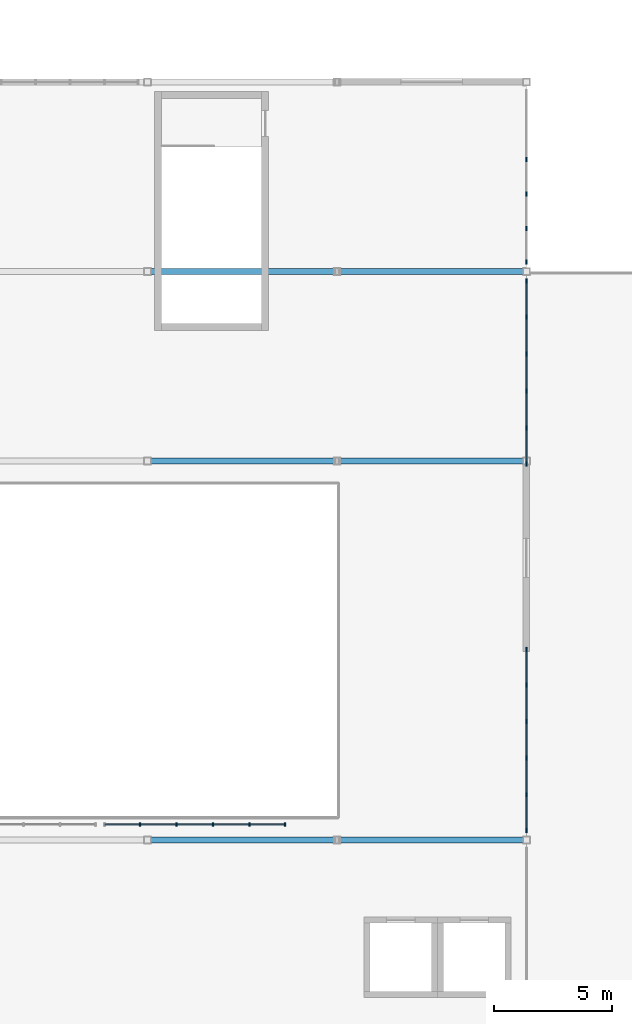
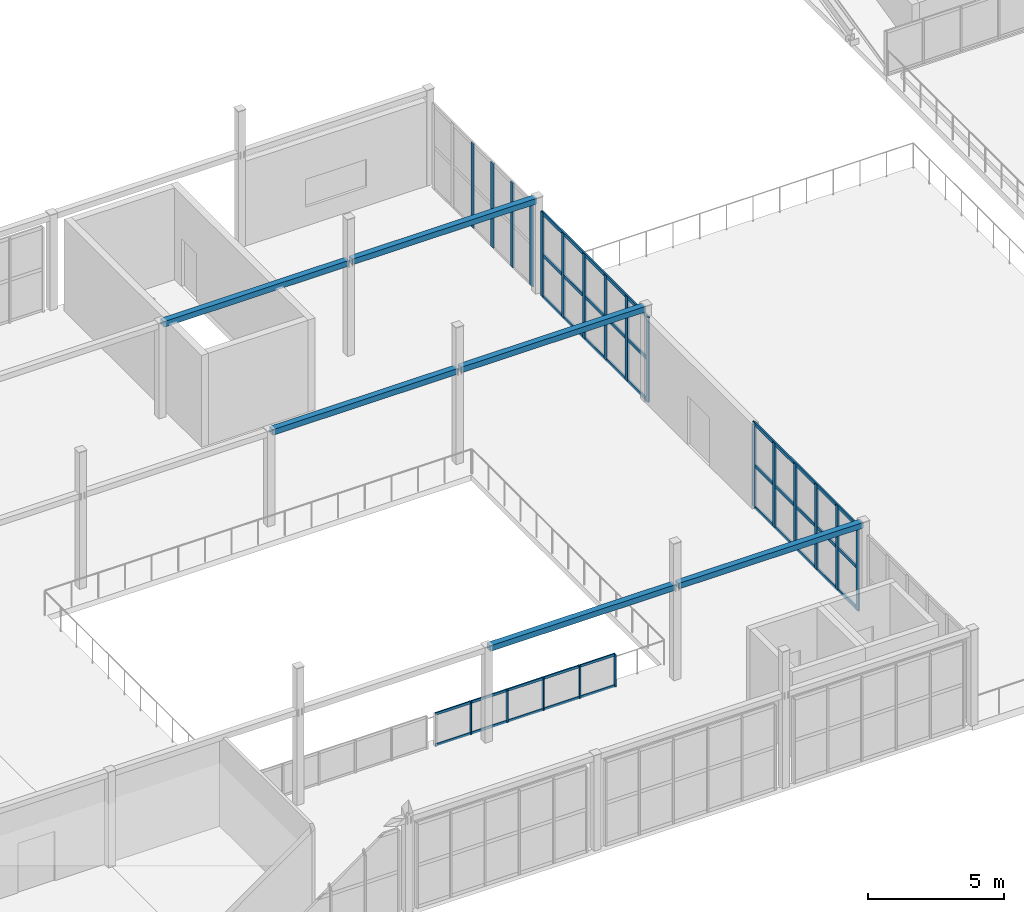
# One storey, part 31 of 83: 35 members, 4 elements without a shape of their own.
"""IFC4 building model written with IfcOpenShell, lengths in metres."""

from ifc_helpers import new_model, si_unit, direction, frame, origin, origin_2d, place, context, subcontext, project, spatial, rectangle, hollow_rectangle, extrude, material, material_profile, profile_set, type_object, element, aggregate, save


model = new_model("IFC4")

# Units and contexts
model_context = context("Model", 3, precision=1e-05, world=origin(), true_north=direction((0.0, 1.0)))
body_context = subcontext(model_context, "Body", "Model", "MODEL_VIEW")
ifc_project = project(units=[si_unit("LENGTHUNIT", "METRE"), si_unit("AREAUNIT", "SQUARE_METRE"), si_unit("VOLUMEUNIT", "CUBIC_METRE"), si_unit("PLANEANGLEUNIT", "RADIAN"), si_unit("MASSUNIT", "GRAM", prefix="KILO")], contexts=[model_context])

# Site, building, storey
site_placement = place(None, origin())
site = spatial("IfcSite", under=ifc_project, at=site_placement, CompositionType="ELEMENT")
building_placement = place(site_placement, origin())
building = spatial("IfcBuilding", under=site, at=building_placement, Name="Drelvath Fold Interchange", CompositionType="ELEMENT")
storey_placement = place(building_placement, frame((0.0, 0.0, 11.199951171875)))
storey = spatial("IfcBuildingStorey", under=building, at=storey_placement, Name="L02", CompositionType="ELEMENT", Elevation=11.199951171875)

# Members
ifc_material_1 = material(Name="Steel ASTM A500 Grade C", Category="steel")
ifc_material_profile_1 = material_profile(ifc_material_1, hollow_rectangle(XDim=0.25390625, YDim=0.25390625, WallThickness=0.01171875, at=origin_2d()), Name="HSS10X10X1/2")
ifc_profile_set_1 = profile_set([ifc_material_profile_1], Name="Steel ASTM A500 Grade C")
member_type_1 = type_object("IfcMemberType", Name="FP-CHD254", PredefinedType="CHORD", material=ifc_profile_set_1)
for number, where, z_axis, x_axis, name in (
    (1, (68.080078125, 67.0, 4.150146484375), (1.0, 0.0, 0.0), (0.0, 1.0, 0.0), "L02 Folded-plate roof truss tie chord FP-CHD254"),
    (2, (68.080078125, 83.0, 4.150146484375), (1.0, 0.0, 0.0), (0.0, 1.0, 0.0), "L02 Folded-plate roof truss tie chord FP-CHD254"),
    (3, (68.080078125, 91.0, 4.150146484375), (1.0, 0.0, 0.0), (0.0, 1.0, 0.0), "L02 Folded-plate roof truss tie chord FP-CHD254"),
    (4, (76.080078125, 67.0, 4.150146484375), (1.0, 0.0, 0.0), (0.0, 1.0, 0.0), "L02 Folded-plate roof truss tie chord FP-CHD254"),
    (5, (76.080078125, 83.0, 4.150146484375), (1.0, 0.0, 0.0), (0.0, 1.0, 0.0), "L02 Folded-plate roof truss tie chord FP-CHD254"),
    (6, (76.080078125, 91.0, 4.150146484375), (1.0, 0.0, 0.0), (0.0, 1.0, 0.0), "L02 Folded-plate roof truss tie chord FP-CHD254"),
):
    element("IfcMember", number, at=place(storey_placement, frame(where, z_axis=z_axis, x_axis=x_axis)), inside=storey, type_object=member_type_1, Name=name, PredefinedType="CHORD", context=body_context, shape_type="SweptSolid", body=[
        extrude(hollow_rectangle(XDim=0.25390625, YDim=0.25390625, WallThickness=0.01171875, at=origin_2d()), origin(), (0.0, 0.0, 1.0), 7.83984375),
    ])

# Curtain wall, members
ifc_material_2 = material(Name="Anodized Aluminium 6063-T6", Category="aluminium")
curtain_wall_type_1 = type_object("IfcCurtainWallType", Name="CW-ATR-SCR", PredefinedType="USERDEFINED", material=ifc_material_2)
curtain_wall_1_placement = place(storey_placement, origin())
curtain_wall_1 = element("IfcCurtainWall", 7, at=curtain_wall_1_placement, inside=storey, type_object=curtain_wall_type_1, Name="Curtain wall CW-ATR-L02-S66", ObjectType="GLAZED SCREEN WALL", PredefinedType="USERDEFINED")
ifc_material_profile_2 = material_profile(ifc_material_2, rectangle(XDim=0.054931640625, YDim=0.135009765625, at=origin_2d()), Name="AL-M 55x135")
ifc_profile_set_2 = profile_set([ifc_material_profile_2], Name="Anodized Aluminium 6063-T6")
member_type_2 = type_object("IfcMemberType", Name="ML-135", PredefinedType="MULLION", material=ifc_profile_set_2)
member_1_placement = place(storey_placement, frame((67.68994140625, 67.64990234375, 0.0), z_axis=(0.0, 0.0, 1.0), x_axis=(1.0, 0.0, 0.0)))
member_1 = element("IfcMember", 8, at=member_1_placement, type_object=member_type_2, Name="CW-ATR-L02-S66 mullion 1", PredefinedType="MULLION", context=body_context, shape_type="SweptSolid", body=[
    extrude(rectangle(XDim=0.054931640625, YDim=0.135009765625, at=origin_2d()), origin(), (0.0, 0.0, 1.0), 1.449951171875),
])
member_2_placement = place(storey_placement, frame((69.22998046875, 67.64990234375, 0.0), z_axis=(0.0, 0.0, 1.0), x_axis=(1.0, 0.0, 0.0)))
member_2 = element("IfcMember", 9, at=member_2_placement, type_object=member_type_2, Name="CW-ATR-L02-S66 mullion 2", PredefinedType="MULLION", context=body_context, shape_type="SweptSolid", body=[
    extrude(rectangle(XDim=0.054931640625, YDim=0.135009765625, at=origin_2d()), origin(), (0.0, 0.0, 1.0), 1.449951171875),
])
member_3_placement = place(storey_placement, frame((70.77001953125, 67.64990234375, 0.0), z_axis=(0.0, 0.0, 1.0), x_axis=(1.0, 0.0, 0.0)))
member_3 = element("IfcMember", 10, at=member_3_placement, type_object=member_type_2, Name="CW-ATR-L02-S66 mullion 3", PredefinedType="MULLION", context=body_context, shape_type="SweptSolid", body=[
    extrude(rectangle(XDim=0.054931640625, YDim=0.135009765625, at=origin_2d()), origin(), (0.0, 0.0, 1.0), 1.449951171875),
])
member_4_placement = place(storey_placement, frame((72.31005859375, 67.64990234375, 0.0), z_axis=(0.0, 0.0, 1.0), x_axis=(1.0, 0.0, 0.0)))
member_4 = element("IfcMember", 11, at=member_4_placement, type_object=member_type_2, Name="CW-ATR-L02-S66 mullion 4", PredefinedType="MULLION", context=body_context, shape_type="SweptSolid", body=[
    extrude(rectangle(XDim=0.054931640625, YDim=0.135009765625, at=origin_2d()), origin(), (0.0, 0.0, 1.0), 1.449951171875),
])
member_5_placement = place(storey_placement, frame((73.81005859375, 67.64990234375, 0.0), z_axis=(0.0, 0.0, 1.0), x_axis=(1.0, 0.0, 0.0)))
member_5 = element("IfcMember", 12, at=member_5_placement, type_object=member_type_2, Name="CW-ATR-L02-S66 mullion 5", PredefinedType="MULLION", context=body_context, shape_type="SweptSolid", body=[
    extrude(rectangle(XDim=0.054931640625, YDim=0.135009765625, at=origin_2d()), origin(), (0.0, 0.0, 1.0), 1.449951171875),
])

curtain_wall_type_2 = type_object("IfcCurtainWallType", Name="CW-CON-440", PredefinedType="USERDEFINED", material=ifc_material_2)
curtain_wall_2_placement = place(storey_placement, origin())
curtain_wall_2 = element("IfcCurtainWall", 13, at=curtain_wall_2_placement, inside=storey, type_object=curtain_wall_type_2, Name="Curtain wall CW-V1E-L02-Y67", ObjectType="UNITISED CURTAIN WALL", PredefinedType="USERDEFINED")
ifc_material_profile_3 = material_profile(ifc_material_2, rectangle(XDim=0.06494140625, YDim=0.18994140625, at=origin_2d()), Name="AL-M 65x190")
ifc_profile_set_3 = profile_set([ifc_material_profile_3], Name="Anodized Aluminium 6063-T6")
member_type_3 = type_object("IfcMemberType", Name="ML-190", PredefinedType="MULLION", material=ifc_profile_set_3)
member_6_placement = place(storey_placement, frame((84.0, 67.39990234375, 0.0), z_axis=(0.0, 0.0, 1.0), x_axis=(1.0, 0.0, 0.0)))
member_6 = element("IfcMember", 14, at=member_6_placement, type_object=member_type_3, Name="CW-V1E-L02-Y67 mullion 0", PredefinedType="MULLION", context=body_context, shape_type="SweptSolid", body=[
    extrude(rectangle(XDim=0.06494140625, YDim=0.18994140625, at=origin_2d()), origin(), (0.0, 0.0, 1.0), 3.800048828125),
])
member_7_placement = place(storey_placement, frame((84.0, 68.904052734375, 0.0), z_axis=(0.0, 0.0, 1.0), x_axis=(1.0, 0.0, 0.0)))
member_7 = element("IfcMember", 15, at=member_7_placement, type_object=member_type_3, Name="CW-V1E-L02-Y67 mullion 1", PredefinedType="MULLION", context=body_context, shape_type="SweptSolid", body=[
    extrude(rectangle(XDim=0.06494140625, YDim=0.18994140625, at=origin_2d()), origin(), (0.0, 0.0, 1.0), 3.800048828125),
])
member_8_placement = place(storey_placement, frame((84.0, 70.447998046875, 0.0), z_axis=(0.0, 0.0, 1.0), x_axis=(1.0, 0.0, 0.0)))
member_8 = element("IfcMember", 16, at=member_8_placement, type_object=member_type_3, Name="CW-V1E-L02-Y67 mullion 2", PredefinedType="MULLION", context=body_context, shape_type="SweptSolid", body=[
    extrude(rectangle(XDim=0.06494140625, YDim=0.18994140625, at=origin_2d()), origin(), (0.0, 0.0, 1.0), 3.800048828125),
])
member_9_placement = place(storey_placement, frame((84.0, 71.991943359375, 0.0), z_axis=(0.0, 0.0, 1.0), x_axis=(1.0, 0.0, 0.0)))
member_9 = element("IfcMember", 17, at=member_9_placement, type_object=member_type_3, Name="CW-V1E-L02-Y67 mullion 3", PredefinedType="MULLION", context=body_context, shape_type="SweptSolid", body=[
    extrude(rectangle(XDim=0.06494140625, YDim=0.18994140625, at=origin_2d()), origin(), (0.0, 0.0, 1.0), 3.800048828125),
])
member_10_placement = place(storey_placement, frame((84.0, 73.535888671875, 0.0), z_axis=(0.0, 0.0, 1.0), x_axis=(1.0, 0.0, 0.0)))
member_10 = element("IfcMember", 18, at=member_10_placement, type_object=member_type_3, Name="CW-V1E-L02-Y67 mullion 4", PredefinedType="MULLION", context=body_context, shape_type="SweptSolid", body=[
    extrude(rectangle(XDim=0.06494140625, YDim=0.18994140625, at=origin_2d()), origin(), (0.0, 0.0, 1.0), 3.800048828125),
])
member_11_placement = place(storey_placement, frame((84.0, 75.0400390625, 0.0), z_axis=(0.0, 0.0, 1.0), x_axis=(1.0, 0.0, 0.0)))
member_11 = element("IfcMember", 19, at=member_11_placement, type_object=member_type_3, Name="CW-V1E-L02-Y67 mullion 5", PredefinedType="MULLION", context=body_context, shape_type="SweptSolid", body=[
    extrude(rectangle(XDim=0.06494140625, YDim=0.18994140625, at=origin_2d()), origin(), (0.0, 0.0, 1.0), 3.800048828125),
])

curtain_wall_3_placement = place(storey_placement, origin())
curtain_wall_3 = element("IfcCurtainWall", 20, at=curtain_wall_3_placement, inside=storey, type_object=curtain_wall_type_2, Name="Curtain wall CW-V1E-L02-Y83", ObjectType="UNITISED CURTAIN WALL", PredefinedType="USERDEFINED")
member_12_placement = place(storey_placement, frame((84.0, 82.860107421875, 0.0), z_axis=(0.0, 0.0, 1.0), x_axis=(1.0, 0.0, 0.0)))
member_12 = element("IfcMember", 21, at=member_12_placement, type_object=member_type_3, Name="CW-V1E-L02-Y83 mullion 0", PredefinedType="MULLION", context=body_context, shape_type="SweptSolid", body=[
    extrude(rectangle(XDim=0.06494140625, YDim=0.18994140625, at=origin_2d()), origin(), (0.0, 0.0, 1.0), 3.800048828125),
])
member_13_placement = place(storey_placement, frame((84.0, 84.384033203125, 0.0), z_axis=(0.0, 0.0, 1.0), x_axis=(1.0, 0.0, 0.0)))
member_13 = element("IfcMember", 22, at=member_13_placement, type_object=member_type_3, Name="CW-V1E-L02-Y83 mullion 1", PredefinedType="MULLION", context=body_context, shape_type="SweptSolid", body=[
    extrude(rectangle(XDim=0.06494140625, YDim=0.18994140625, at=origin_2d()), origin(), (0.0, 0.0, 1.0), 3.800048828125),
])
member_14_placement = place(storey_placement, frame((84.0, 85.947998046875, 0.0), z_axis=(0.0, 0.0, 1.0), x_axis=(1.0, 0.0, 0.0)))
member_14 = element("IfcMember", 23, at=member_14_placement, type_object=member_type_3, Name="CW-V1E-L02-Y83 mullion 2", PredefinedType="MULLION", context=body_context, shape_type="SweptSolid", body=[
    extrude(rectangle(XDim=0.06494140625, YDim=0.18994140625, at=origin_2d()), origin(), (0.0, 0.0, 1.0), 3.800048828125),
])
member_15_placement = place(storey_placement, frame((84.0, 87.511962890625, 0.0), z_axis=(0.0, 0.0, 1.0), x_axis=(1.0, 0.0, 0.0)))
member_15 = element("IfcMember", 24, at=member_15_placement, type_object=member_type_3, Name="CW-V1E-L02-Y83 mullion 3", PredefinedType="MULLION", context=body_context, shape_type="SweptSolid", body=[
    extrude(rectangle(XDim=0.06494140625, YDim=0.18994140625, at=origin_2d()), origin(), (0.0, 0.0, 1.0), 3.800048828125),
])
member_16_placement = place(storey_placement, frame((84.0, 89.075927734375, 0.0), z_axis=(0.0, 0.0, 1.0), x_axis=(1.0, 0.0, 0.0)))
member_16 = element("IfcMember", 25, at=member_16_placement, type_object=member_type_3, Name="CW-V1E-L02-Y83 mullion 4", PredefinedType="MULLION", context=body_context, shape_type="SweptSolid", body=[
    extrude(rectangle(XDim=0.06494140625, YDim=0.18994140625, at=origin_2d()), origin(), (0.0, 0.0, 1.0), 3.800048828125),
])
member_17_placement = place(storey_placement, frame((84.0, 90.60009765625, 0.0), z_axis=(0.0, 0.0, 1.0), x_axis=(1.0, 0.0, 0.0)))
member_17 = element("IfcMember", 26, at=member_17_placement, type_object=member_type_3, Name="CW-V1E-L02-Y83 mullion 5", PredefinedType="MULLION", context=body_context, shape_type="SweptSolid", body=[
    extrude(rectangle(XDim=0.06494140625, YDim=0.18994140625, at=origin_2d()), origin(), (0.0, 0.0, 1.0), 3.800048828125),
])

curtain_wall_4_placement = place(storey_placement, origin())
curtain_wall_4 = element("IfcCurtainWall", 27, at=curtain_wall_4_placement, inside=storey, type_object=curtain_wall_type_2, Name="Curtain wall CW-V1E-L02-Y91", ObjectType="UNITISED CURTAIN WALL", PredefinedType="USERDEFINED")
member_18_placement = place(storey_placement, frame((84.0, 91.39990234375, 0.0), z_axis=(0.0, 0.0, 1.0), x_axis=(1.0, 0.0, 0.0)))
member_18 = element("IfcMember", 28, at=member_18_placement, type_object=member_type_3, Name="CW-V1E-L02-Y91 mullion 0", PredefinedType="MULLION", context=body_context, shape_type="SweptSolid", body=[
    extrude(rectangle(XDim=0.06494140625, YDim=0.18994140625, at=origin_2d()), origin(), (0.0, 0.0, 1.0), 3.800048828125),
])
member_19_placement = place(storey_placement, frame((84.0, 92.81591796875, 0.0), z_axis=(0.0, 0.0, 1.0), x_axis=(1.0, 0.0, 0.0)))
member_19 = element("IfcMember", 29, at=member_19_placement, type_object=member_type_3, Name="CW-V1E-L02-Y91 mullion 1", PredefinedType="MULLION", context=body_context, shape_type="SweptSolid", body=[
    extrude(rectangle(XDim=0.06494140625, YDim=0.18994140625, at=origin_2d()), origin(), (0.0, 0.0, 1.0), 3.800048828125),
])
member_20_placement = place(storey_placement, frame((84.0, 94.27197265625, 0.0), z_axis=(0.0, 0.0, 1.0), x_axis=(1.0, 0.0, 0.0)))
member_20 = element("IfcMember", 30, at=member_20_placement, type_object=member_type_3, Name="CW-V1E-L02-Y91 mullion 2", PredefinedType="MULLION", context=body_context, shape_type="SweptSolid", body=[
    extrude(rectangle(XDim=0.06494140625, YDim=0.18994140625, at=origin_2d()), origin(), (0.0, 0.0, 1.0), 3.800048828125),
])
member_21_placement = place(storey_placement, frame((84.0, 95.72802734375, 0.0), z_axis=(0.0, 0.0, 1.0), x_axis=(1.0, 0.0, 0.0)))
member_21 = element("IfcMember", 31, at=member_21_placement, type_object=member_type_3, Name="CW-V1E-L02-Y91 mullion 3", PredefinedType="MULLION", context=body_context, shape_type="SweptSolid", body=[
    extrude(rectangle(XDim=0.06494140625, YDim=0.18994140625, at=origin_2d()), origin(), (0.0, 0.0, 1.0), 3.800048828125),
])
aggregate(curtain_wall_4, [member_18, member_19, member_20, member_21])

# Member
ifc_material_profile_4 = material_profile(ifc_material_2, rectangle(XDim=0.054931640625, YDim=0.110107421875, at=origin_2d()), Name="AL-T 55x110")
ifc_profile_set_4 = profile_set([ifc_material_profile_4], Name="Anodized Aluminium 6063-T6")
member_type_4 = type_object("IfcMemberType", Name="TR-110", PredefinedType="USERDEFINED", material=ifc_profile_set_4)
member_22_placement = place(storey_placement, frame((66.18994140625, 67.64990234375, 0.030029296875), z_axis=(1.0, 0.0, 0.0), x_axis=(0.0, 1.0, 0.0)))
member_22 = element("IfcMember", 32, at=member_22_placement, type_object=member_type_4, Name="CW-ATR-L02-S66 transom 0", ObjectType="TRANSOM", PredefinedType="USERDEFINED", context=body_context, shape_type="SweptSolid", body=[
    extrude(rectangle(XDim=0.054931640625, YDim=0.110107421875, at=origin_2d()), origin(), (0.0, 0.0, 1.0), 7.6201171875),
])

member_23_placement = place(storey_placement, frame((66.18994140625, 67.64990234375, 1.420166015625), z_axis=(1.0, 0.0, 0.0), x_axis=(0.0, 1.0, 0.0)))
member_23 = element("IfcMember", 33, at=member_23_placement, type_object=member_type_4, Name="CW-ATR-L02-S66 transom 1", ObjectType="TRANSOM", PredefinedType="USERDEFINED", context=body_context, shape_type="SweptSolid", body=[
    extrude(rectangle(XDim=0.054931640625, YDim=0.110107421875, at=origin_2d()), origin(), (0.0, 0.0, 1.0), 7.6201171875),
])

aggregate(curtain_wall_1, [member_1, member_2, member_3, member_4, member_5, member_22, member_23])

ifc_material_profile_5 = material_profile(ifc_material_2, rectangle(XDim=0.06494140625, YDim=0.155029296875, at=origin_2d()), Name="AL-T 65x155")
ifc_profile_set_5 = profile_set([ifc_material_profile_5], Name="Anodized Aluminium 6063-T6")
member_type_5 = type_object("IfcMemberType", Name="TR-155", PredefinedType="USERDEFINED", material=ifc_profile_set_5)
member_24_placement = place(storey_placement, frame((84.0, 67.39990234375, 0.030029296875), z_axis=(0.0, 1.0, 0.0), x_axis=(-1.0, 0.0, 0.0)))
member_24 = element("IfcMember", 34, at=member_24_placement, type_object=member_type_5, Name="CW-V1E-L02-Y67 transom 0", ObjectType="TRANSOM", PredefinedType="USERDEFINED", context=body_context, shape_type="SweptSolid", body=[
    extrude(rectangle(XDim=0.06494140625, YDim=0.155029296875, at=origin_2d()), origin(), (0.0, 0.0, 1.0), 7.64013671875),
])

member_25_placement = place(storey_placement, frame((84.0, 67.39990234375, 1.900146484375), z_axis=(0.0, 1.0, 0.0), x_axis=(-1.0, 0.0, 0.0)))
member_25 = element("IfcMember", 35, at=member_25_placement, type_object=member_type_5, Name="CW-V1E-L02-Y67 transom 1", ObjectType="TRANSOM", PredefinedType="USERDEFINED", context=body_context, shape_type="SweptSolid", body=[
    extrude(rectangle(XDim=0.06494140625, YDim=0.155029296875, at=origin_2d()), origin(), (0.0, 0.0, 1.0), 7.64013671875),
])

member_26_placement = place(storey_placement, frame((84.0, 67.39990234375, 3.77001953125), z_axis=(0.0, 1.0, 0.0), x_axis=(-1.0, 0.0, 0.0)))
member_26 = element("IfcMember", 36, at=member_26_placement, type_object=member_type_5, Name="CW-V1E-L02-Y67 transom 2", ObjectType="TRANSOM", PredefinedType="USERDEFINED", context=body_context, shape_type="SweptSolid", body=[
    extrude(rectangle(XDim=0.06494140625, YDim=0.155029296875, at=origin_2d()), origin(), (0.0, 0.0, 1.0), 7.64013671875),
])

aggregate(curtain_wall_2, [member_6, member_7, member_8, member_9, member_10, member_11, member_24, member_25, member_26])

member_27_placement = place(storey_placement, frame((84.0, 82.860107421875, 0.030029296875), z_axis=(0.0, 1.0, 0.0), x_axis=(-1.0, 0.0, 0.0)))
member_27 = element("IfcMember", 37, at=member_27_placement, type_object=member_type_5, Name="CW-V1E-L02-Y83 transom 0", ObjectType="TRANSOM", PredefinedType="USERDEFINED", context=body_context, shape_type="SweptSolid", body=[
    extrude(rectangle(XDim=0.06494140625, YDim=0.155029296875, at=origin_2d()), origin(), (0.0, 0.0, 1.0), 7.739990234375),
])

member_28_placement = place(storey_placement, frame((84.0, 82.860107421875, 1.900146484375), z_axis=(0.0, 1.0, 0.0), x_axis=(-1.0, 0.0, 0.0)))
member_28 = element("IfcMember", 38, at=member_28_placement, type_object=member_type_5, Name="CW-V1E-L02-Y83 transom 1", ObjectType="TRANSOM", PredefinedType="USERDEFINED", context=body_context, shape_type="SweptSolid", body=[
    extrude(rectangle(XDim=0.06494140625, YDim=0.155029296875, at=origin_2d()), origin(), (0.0, 0.0, 1.0), 7.739990234375),
])

member_29_placement = place(storey_placement, frame((84.0, 82.860107421875, 3.77001953125), z_axis=(0.0, 1.0, 0.0), x_axis=(-1.0, 0.0, 0.0)))
member_29 = element("IfcMember", 39, at=member_29_placement, type_object=member_type_5, Name="CW-V1E-L02-Y83 transom 2", ObjectType="TRANSOM", PredefinedType="USERDEFINED", context=body_context, shape_type="SweptSolid", body=[
    extrude(rectangle(XDim=0.06494140625, YDim=0.155029296875, at=origin_2d()), origin(), (0.0, 0.0, 1.0), 7.739990234375),
])

aggregate(curtain_wall_3, [member_12, member_13, member_14, member_15, member_16, member_17, member_27, member_28, member_29])

save(model, "model.ifc")
